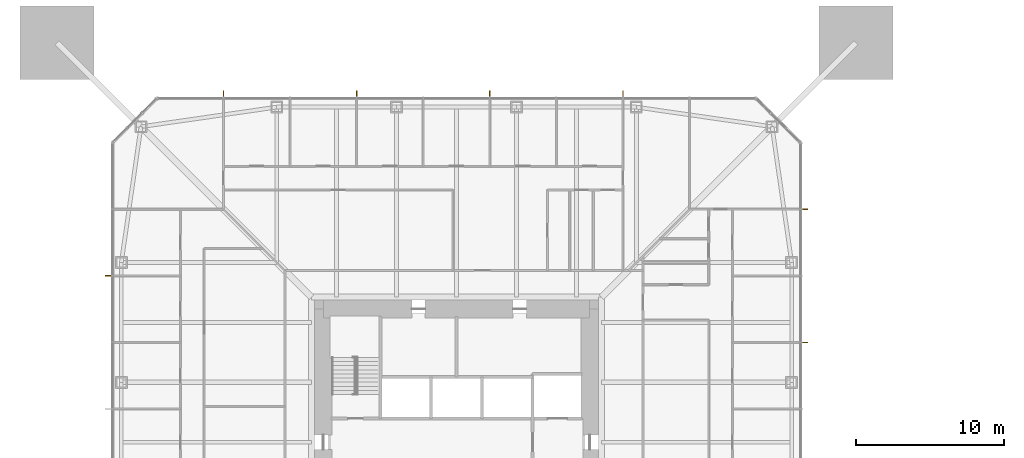
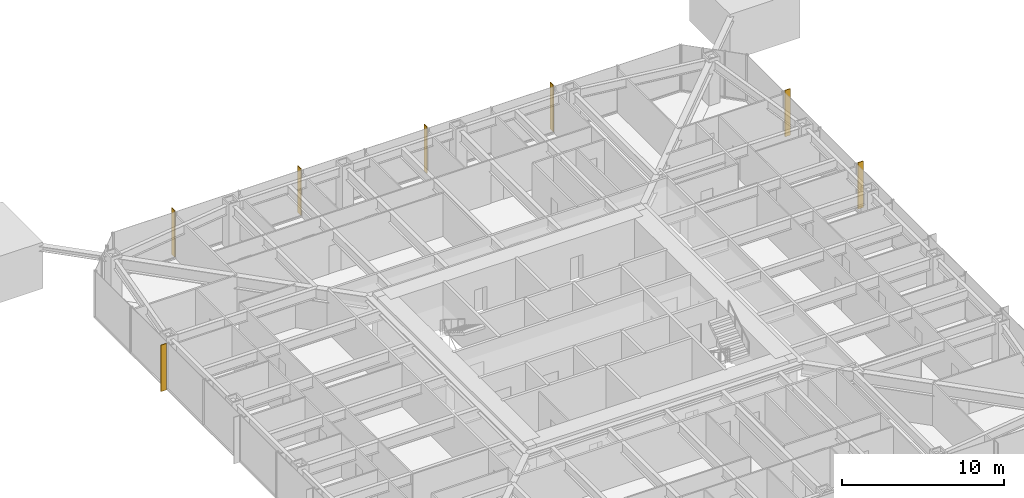
# One storey, part 25 of 26: 7 shading devices.
"""IFC4 building model written with IfcOpenShell, lengths in metres."""

from ifc_helpers import new_model, si_unit, direction, frame, origin, origin_2d, place, context, subcontext, project, spatial, rectangle, extrude, material, layer, layer_set, type_object, element, save


model = new_model("IFC4")

# Units and contexts
model_context = context("Model", 3, precision=1e-05, world=origin(), true_north=direction((0.0, 1.0)))
body_context = subcontext(model_context, "Body", "Model", "MODEL_VIEW")
ifc_project = project(units=[si_unit("LENGTHUNIT", "METRE"), si_unit("AREAUNIT", "SQUARE_METRE"), si_unit("VOLUMEUNIT", "CUBIC_METRE"), si_unit("PLANEANGLEUNIT", "RADIAN"), si_unit("MASSUNIT", "GRAM", prefix="KILO")], contexts=[model_context])

# Site, building, storey
site_placement = place(None, origin())
site = spatial("IfcSite", under=ifc_project, at=site_placement, CompositionType="ELEMENT")
building_placement = place(site_placement, origin())
building = spatial("IfcBuilding", under=site, at=building_placement, Name="Iwan Alto Co-Living Towers", CompositionType="ELEMENT")
storey_placement = place(building_placement, frame((0.0, 0.0, 32.5)))
storey = spatial("IfcBuildingStorey", under=building, at=storey_placement, Name="L08", CompositionType="ELEMENT", Elevation=32.5)

# Shading devices
ifc_material = material(Name="Aluminium 6063-T6 bronze anodised", Category="aluminium")
ifc_layer = layer(ifc_material, 0.050048828125)
ifc_layer_set = layer_set([ifc_layer], Name="BRONZE FIN 50X400")
shading_device_type = type_object("IfcShadingDeviceType", Name="BRONZE FIN 50X400", PredefinedType="USERDEFINED", material=ifc_layer_set)
for number, where, z_axis, x_axis, name in (
    (1, (23.550048828125, 6.75, 0.0), (0.0, 0.0, 1.0), (0.0, 1.0, 0.0), "Bronze fin L08"),
    (2, (23.550048828125, 15.75, 0.0), (0.0, 0.0, 1.0), (0.0, 1.0, 0.0), "Bronze fin L08"),
    (3, (11.25, 23.550048828125, 0.0), (0.0, 0.0, 1.0), (-1.0, 0.0, 0.0), "Bronze fin L08"),
    (4, (2.25, 23.550048828125, 0.0), (0.0, 0.0, 1.0), (-1.0, 0.0, 0.0), "Bronze fin L08"),
    (5, (-6.75, 23.550048828125, 0.0), (0.0, 0.0, 1.0), (-1.0, 0.0, 0.0), "Bronze fin L08"),
    (6, (-15.75, 23.550048828125, 0.0), (0.0, 0.0, 1.0), (-1.0, 0.0, 0.0), "Bronze fin L08"),
    (7, (-23.550048828125, 11.25, 0.0), (0.0, 0.0, 1.0), (0.0, -1.0, 0.0), "Bronze fin L08"),
):
    element("IfcShadingDevice", number, at=place(storey_placement, frame(where, z_axis=z_axis, x_axis=x_axis)), inside=storey, type_object=shading_device_type, Name=name, ObjectType="LOUVER", PredefinedType="USERDEFINED", context=body_context, shape_type="SweptSolid", body=[
        extrude(rectangle(XDim=0.050048828125, YDim=0.39990234375, at=origin_2d()), origin(), (0.0, 0.0, 1.0), 3.5),
    ])

save(model, "model.ifc")
